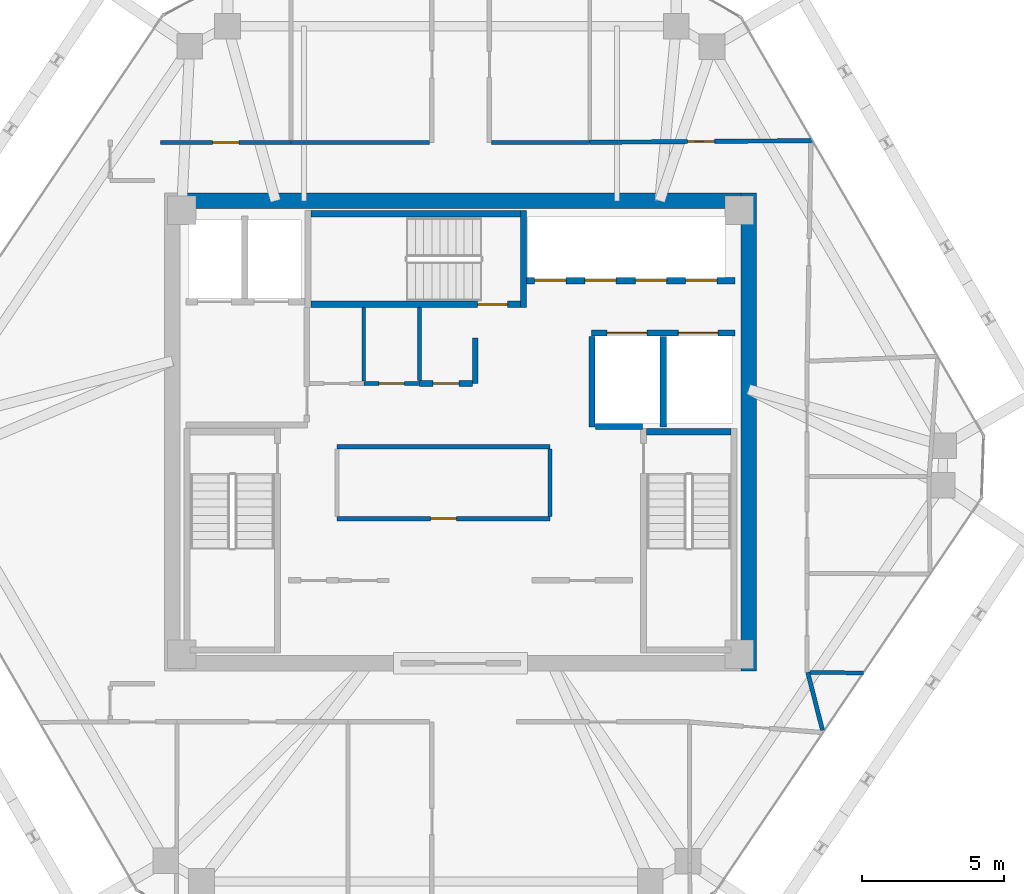
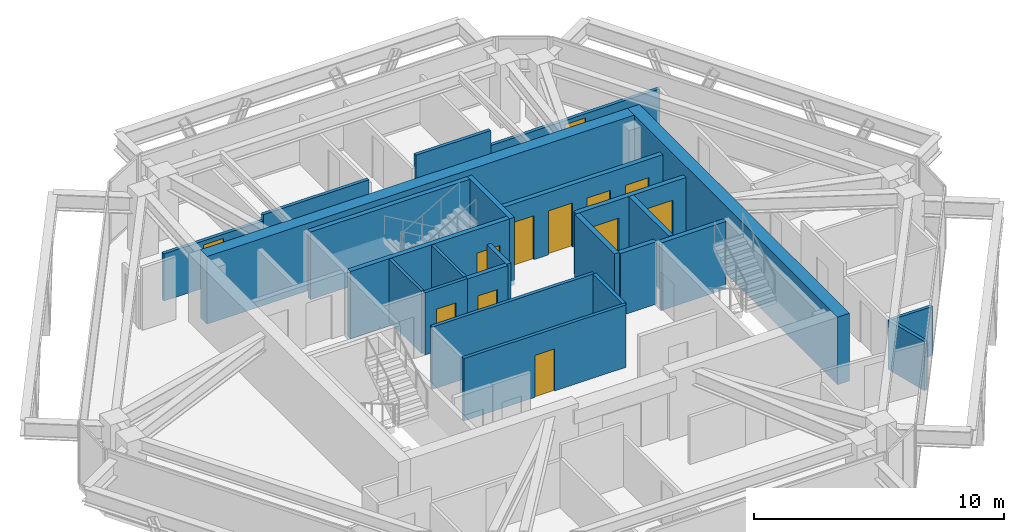
# One storey, part 9 of 11: 25 walls, 12 doors, 12 openings.
"""IFC4 building model written with IfcOpenShell, lengths in metres."""

from ifc_helpers import new_model, si_unit, direction, frame, frame_2d, origin, place, context, subcontext, project, spatial, rectangle, extrude, source, transform, mapped, material, layer, layer_set, type_object, type_shapes, element, fill, save


model = new_model("IFC4")

# Units and contexts
model_context = context("Model", 3, precision=1e-05, world=origin(), true_north=direction((0.0, 1.0)))
body_context = subcontext(model_context, "Body", "Model", "MODEL_VIEW")
ifc_project = project(units=[si_unit("LENGTHUNIT", "METRE"), si_unit("AREAUNIT", "SQUARE_METRE"), si_unit("VOLUMEUNIT", "CUBIC_METRE"), si_unit("PLANEANGLEUNIT", "RADIAN"), si_unit("MASSUNIT", "GRAM", prefix="KILO")], contexts=[model_context])

# Site, building, storey
site_placement = place(None, origin())
site = spatial("IfcSite", under=ifc_project, at=site_placement, CompositionType="ELEMENT")
building_placement = place(site_placement, origin())
building = spatial("IfcBuilding", under=site, at=building_placement, Name="Durnholm Broadcast Tower", CompositionType="ELEMENT")
storey_placement = place(building_placement, frame((0.0, 0.0, 231.5)))
storey = spatial("IfcBuildingStorey", under=building, at=storey_placement, Name="L64", CompositionType="ELEMENT", Elevation=231.5)

# Walls
ifc_material_1 = material(Name="Concrete C70/85", Category="concrete")
ifc_layer_1 = layer(ifc_material_1, 0.550048828125)
ifc_layer_set_1 = layer_set([ifc_layer_1], Name="Concrete C70/85")
wall_type_1 = type_object("IfcWallType", Name="WALL-CW-550", PredefinedType="SHEAR", material=ifc_layer_set_1)
wall_1_placement = place(storey_placement, frame((10.125, -8.39990234375, 0.0), z_axis=(0.0, 0.0, 1.0), x_axis=(0.0, 1.0, 0.0)))
element("IfcWall", 1, at=wall_1_placement, inside=storey, type_object=wall_type_1, Name="L64 central core shear wall CW-EAST", PredefinedType="SHEAR", context=body_context, shape_type="SweptSolid", body=[
    extrude(rectangle(XDim=16.7998046875, YDim=0.550048828125, at=frame_2d((8.39990234375, 0.0))), origin(), (0.0, 0.0, 1.0), 3.300048828125),
])
wall_2_placement = place(storey_placement, frame((-9.85009765625, 8.125, 0.0), z_axis=(0.0, 0.0, 1.0), x_axis=(1.0, 0.0, 0.0)))
element("IfcWall", 2, at=wall_2_placement, inside=storey, type_object=wall_type_1, Name="L64 central core shear wall CW-N", PredefinedType="SHEAR", context=body_context, shape_type="SweptSolid", body=[
    extrude(rectangle(XDim=19.7001953125, YDim=0.550048828125, at=frame_2d((9.85009765625, 0.0))), origin(), (0.0, 0.0, 1.0), 3.300048828125),
])
ifc_material_2 = material(Name="Fire-Rated Gypsum Shaftwall", Category="concrete")
ifc_layer_2 = layer(ifc_material_2, 0.199951171875)
ifc_layer_set_2 = layer_set([ifc_layer_2], Name="Fire-Rated Gypsum Shaftwall")
wall_type_2 = type_object("IfcWallType", Name="WALL-LOB-200", PredefinedType="SOLIDWALL", material=ifc_layer_set_2)
wall_3_placement = place(storey_placement, frame((0.52001953125, 3.300048828125, 0.0), z_axis=(0.0, 0.0, 1.0), x_axis=(0.0, -1.0, 0.0)))
element("IfcWall", 3, at=wall_3_placement, inside=storey, type_object=wall_type_2, Name="L64 Core Telecom Patch Room corridor partition", PredefinedType="SOLIDWALL", context=body_context, shape_type="SweptSolid", body=[
    extrude(rectangle(XDim=1.590087890625, YDim=0.199951171875, at=frame_2d((0.794921875, 0.0))), origin(), (0.0, 0.0, 1.0), 3.044921875),
])

# Wall, opening, door
wall_4_placement = place(storey_placement, frame((0.416015625, 1.7099609375, 0.0), z_axis=(0.0, 0.0, 1.0), x_axis=(-1.0, 0.0, 0.0)))
wall_4 = element("IfcWall", 4, at=wall_4_placement, inside=storey, type_object=wall_type_2, Name="L64 Core Telecom Patch Room corridor partition", PredefinedType="SOLIDWALL", context=body_context, shape_type="SweptSolid", body=[
    extrude(rectangle(XDim=1.85595703125, YDim=0.199951171875, at=frame_2d((0.927978515625, 0.0))), origin(), (0.0, 0.0, 1.0), 3.044921875),
])
opening_1_placement = place(wall_4_placement, frame((0.47802734375, 0.0, 0.0)))
opening_1 = element("IfcOpeningElement", 5, at=opening_1_placement, cuts=wall_4, Name="Opening DC-60R", PredefinedType="OPENING", context=body_context, shape_type="SweptSolid", body=[
    extrude(rectangle(XDim=0.89990234375, YDim=2.050048828125, at=frame_2d((0.449951171875, 1.02490234375))), frame((0.0, 0.10986328125, 0.0), z_axis=(0.0, -1.0, 0.0), x_axis=(1.0, 0.0, 0.0)), (0.0, 0.0, 1.0), 0.219970703125),
])
ifc_material_3 = material(Name="Fire-Rated Core Service Door", Category="steel")
ifc_layer_3 = layer(ifc_material_3, 0.050048828125)
ifc_layer_set_3 = layer_set([ifc_layer_3], Name="Fire-Rated Core Service Door")
door_type_1 = type_object("IfcDoorType", Name="DOOR-CORE-FD60-R", OperationType="NOTDEFINED", PredefinedType="DOOR", material=ifc_layer_set_3)
shared_shape_1 = source(origin(), body_context, "Body", "SweptSolid", [
    extrude(rectangle(XDim=0.89990234375, YDim=2.050048828125, at=frame_2d((0.449951171875, 1.02490234375))), frame((0.0, 0.02490234375, 0.0), z_axis=(0.0, -1.0, 0.0), x_axis=(1.0, 0.0, 0.0)), (0.0, 0.0, 1.0), 0.050048828125),
])
type_shapes(door_type_1, [shared_shape_1])
door_1_placement = place(opening_1_placement, origin())
door_1 = element("IfcDoor", 6, at=door_1_placement, inside=storey, type_object=door_type_1, Name="L64 Core Telecom Patch Room entrance door", OperationType="SINGLE_SWING_RIGHT", OverallHeight=2.050048828125, OverallWidth=0.89990234375, PredefinedType="DOOR", context=body_context, shape_type="MappedRepresentation", body=[
    mapped(shared_shape_1, transform((0.0, 0.0, 0.0), x_axis=(1.0, 0.0, 0.0), y_axis=(0.0, 1.0, 0.0), z_axis=(0.0, 0.0, 1.0), scale=1.0)),
])
fill(opening_1, door_1)

# Walls
ifc_material_4 = material(Name="Gypsum Metal Stud Partition", Category="concrete")
ifc_layer_4 = layer(ifc_material_4, 0.135009765625)
ifc_layer_set_4 = layer_set([ifc_layer_4], Name="Gypsum Metal Stud Partition")
wall_type_3 = type_object("IfcWallType", Name="WALL-PART-135", PredefinedType="PARTITIONING", material=ifc_layer_set_4)
wall_5_placement = place(storey_placement, frame((-3.39990234375, 4.375, 0.0), z_axis=(0.0, 0.0, 1.0), x_axis=(0.0, -1.0, 0.0)))
element("IfcWall", 7, at=wall_5_placement, inside=storey, type_object=wall_type_3, Name="L64 room dividing partition 5.6", PredefinedType="PARTITIONING", context=body_context, shape_type="SweptSolid", body=[
    extrude(rectangle(XDim=2.5859375, YDim=0.135009765625, at=frame_2d((1.29296875, 0.0))), origin(), (0.0, 0.0, 1.0), 3.044921875),
])
wall_6_placement = place(storey_placement, frame((-1.43994140625, 4.375, 0.0), z_axis=(0.0, 0.0, 1.0), x_axis=(0.0, -1.0, 0.0)))
element("IfcWall", 8, at=wall_6_placement, inside=storey, type_object=wall_type_3, Name="L64 room dividing partition 6.7", PredefinedType="PARTITIONING", context=body_context, shape_type="SweptSolid", body=[
    extrude(rectangle(XDim=2.56103515625, YDim=0.135009765625, at=frame_2d((1.280517578125, 0.0))), origin(), (0.0, 0.0, 1.0), 3.044921875),
])

# Wall, opening, door
ifc_material_5 = material(Name="Acoustic Gypsum Stud Partition", Category="concrete")
ifc_layer_5 = layer(ifc_material_5, 0.14990234375)
ifc_layer_set_5 = layer_set([ifc_layer_5], Name="Acoustic Gypsum Stud Partition")
wall_type_4 = type_object("IfcWallType", Name="WALL-PART-150", PredefinedType="PARTITIONING", material=ifc_layer_set_5)
wall_7_placement = place(storey_placement, frame((3.139892578125, -3.0400390625, 0.0), z_axis=(0.0, 0.0, 1.0), x_axis=(-1.0, 0.0, 0.0)))
wall_7 = element("IfcWall", 9, at=wall_7_placement, inside=storey, type_object=wall_type_4, Name="L64 Broadcast Equipment Pantry corridor partition", PredefinedType="PARTITIONING", context=body_context, shape_type="SweptSolid", body=[
    extrude(rectangle(XDim=7.47998046875, YDim=0.14990234375, at=frame_2d((3.739990234375, 0.0))), origin(), (0.0, 0.0, 1.0), 3.044921875),
])
opening_2_placement = place(wall_7_placement, frame((3.2900390625, 0.0, 0.0)))
opening_2 = element("IfcOpeningElement", 10, at=opening_2_placement, cuts=wall_7, Name="Opening DC-60L", PredefinedType="OPENING", context=body_context, shape_type="SweptSolid", body=[
    extrude(rectangle(XDim=0.89990234375, YDim=2.050048828125, at=frame_2d((0.449951171875, 1.02490234375))), frame((0.0, 0.0849609375, 0.0), z_axis=(0.0, -1.0, 0.0), x_axis=(1.0, 0.0, 0.0)), (0.0, 0.0, 1.0), 0.169921875),
])
ifc_layer_6 = layer(ifc_material_3, 0.050048828125)
ifc_layer_set_6 = layer_set([ifc_layer_6], Name="Fire-Rated Core Service Door")
door_type_2 = type_object("IfcDoorType", Name="DOOR-CORE-FD60-L", OperationType="NOTDEFINED", PredefinedType="DOOR", material=ifc_layer_set_6)
shared_shape_2 = source(origin(), body_context, "Body", "SweptSolid", [
    extrude(rectangle(XDim=0.89990234375, YDim=2.050048828125, at=frame_2d((0.449951171875, 1.02490234375))), frame((0.0, 0.02490234375, 0.0), z_axis=(0.0, -1.0, 0.0), x_axis=(1.0, 0.0, 0.0)), (0.0, 0.0, 1.0), 0.050048828125),
])
type_shapes(door_type_2, [shared_shape_2])
door_2_placement = place(opening_2_placement, origin())
door_2 = element("IfcDoor", 11, at=door_2_placement, inside=storey, type_object=door_type_2, Name="L64 Broadcast Equipment Pantry entrance door", OperationType="SINGLE_SWING_LEFT", OverallHeight=2.050048828125, OverallWidth=0.89990234375, PredefinedType="DOOR", context=body_context, shape_type="MappedRepresentation", body=[
    mapped(shared_shape_2, transform((0.0, 0.0, 0.0), x_axis=(1.0, 0.0, 0.0), y_axis=(0.0, 1.0, 0.0), z_axis=(0.0, 0.0, 1.0), scale=1.0)),
])
fill(opening_2, door_2)

# Walls
wall_8_placement = place(storey_placement, frame((-4.340087890625, -0.510009765625, 0.0), z_axis=(0.0, 0.0, 1.0), x_axis=(1.0, 0.0, 0.0)))
element("IfcWall", 12, at=wall_8_placement, inside=storey, type_object=wall_type_4, Name="L64 Broadcast Equipment Pantry corridor partition", PredefinedType="PARTITIONING", context=body_context, shape_type="SweptSolid", body=[
    extrude(rectangle(XDim=7.47998046875, YDim=0.14990234375, at=frame_2d((3.739990234375, 0.0))), origin(), (0.0, 0.0, 1.0), 3.044921875),
])
wall_9_placement = place(storey_placement, frame((3.139892578125, -0.589111328125, 0.0), z_axis=(0.0, 0.0, 1.0), x_axis=(0.0, -1.0, 0.0)))
element("IfcWall", 13, at=wall_9_placement, inside=storey, type_object=wall_type_4, Name="L64 Broadcast Equipment Pantry corridor partition", PredefinedType="PARTITIONING", context=body_context, shape_type="SweptSolid", body=[
    extrude(rectangle(XDim=2.371826171875, YDim=0.14990234375, at=frame_2d((1.18603515625, 0.0))), origin(), (0.0, 0.0, 1.0), 3.044921875),
])

# Wall, opening, door
wall_10_placement = place(storey_placement, frame((-1.43994140625, 1.7099609375, 0.0), z_axis=(0.0, 0.0, 1.0), x_axis=(-1.0, 0.0, 0.0)))
wall_10 = element("IfcWall", 14, at=wall_10_placement, inside=storey, type_object=wall_type_4, Name="L64 Core Janitor Supply Closet corridor partition", PredefinedType="PARTITIONING", context=body_context, shape_type="SweptSolid", body=[
    extrude(rectangle(XDim=1.9599609375, YDim=0.14990234375, at=frame_2d((0.97998046875, 0.0))), origin(), (0.0, 0.0, 1.0), 3.044921875),
])
opening_3_placement = place(wall_10_placement, frame((0.530029296875, 0.0, 0.0)))
opening_3 = element("IfcOpeningElement", 15, at=opening_3_placement, cuts=wall_10, Name="Opening DC-60L", PredefinedType="OPENING", context=body_context, shape_type="SweptSolid", body=[
    extrude(rectangle(XDim=0.89990234375, YDim=2.050048828125, at=frame_2d((0.449951171875, 1.02490234375))), frame((0.0, 0.0849609375, 0.0), z_axis=(0.0, -1.0, 0.0), x_axis=(1.0, 0.0, 0.0)), (0.0, 0.0, 1.0), 0.169921875),
])
door_3_placement = place(opening_3_placement, origin())
door_3 = element("IfcDoor", 16, at=door_3_placement, inside=storey, type_object=door_type_2, Name="L64 Core Janitor Supply Closet entrance door", OperationType="SINGLE_SWING_LEFT", OverallHeight=2.050048828125, OverallWidth=0.89990234375, PredefinedType="DOOR", context=body_context, shape_type="MappedRepresentation", body=[
    mapped(shared_shape_2, transform((0.0, 0.0, 0.0), x_axis=(1.0, 0.0, 0.0), y_axis=(0.0, 1.0, 0.0), z_axis=(0.0, 0.0, 1.0), scale=1.0)),
])
fill(opening_3, door_3)

wall_11_placement = place(storey_placement, frame((-5.9599609375, 10.179931640625, 0.0), z_axis=(0.0, 0.0, 1.0), x_axis=(-1.0, 0.0, 0.0)))
wall_11 = element("IfcWall", 17, at=wall_11_placement, inside=storey, type_object=wall_type_4, Name="L64 VP News Office corridor partition", PredefinedType="PARTITIONING", context=body_context, shape_type="SweptSolid", body=[
    extrude(rectangle(XDim=4.580078125, YDim=0.14990234375, at=frame_2d((2.2900390625, 0.0))), origin(), (0.0, 0.0, 1.0), 2.30126953125),
])
opening_4_placement = place(wall_11_placement, frame((1.830078125, 0.0, 0.0)))
opening_4 = element("IfcOpeningElement", 18, at=opening_4_placement, cuts=wall_11, Name="Opening DR-92R", PredefinedType="OPENING", context=body_context, shape_type="SweptSolid", body=[
    extrude(rectangle(XDim=0.919921875, YDim=2.10009765625, at=frame_2d((0.4599609375, 1.050048828125))), frame((0.0, 0.0849609375, 0.0), z_axis=(0.0, -1.0, 0.0), x_axis=(1.0, 0.0, 0.0)), (0.0, 0.0, 1.0), 0.169921875),
])
ifc_material_6 = material(Name="Oak Veneer Office Door", Category="wood")
ifc_layer_7 = layer(ifc_material_6, 0.050048828125)
ifc_layer_set_7 = layer_set([ifc_layer_7], Name="Oak Veneer Office Door")
door_type_3 = type_object("IfcDoorType", Name="DOOR-RM-920R", OperationType="NOTDEFINED", PredefinedType="DOOR", material=ifc_layer_set_7)
shared_shape_3 = source(origin(), body_context, "Body", "SweptSolid", [
    extrude(rectangle(XDim=0.919921875, YDim=2.10009765625, at=frame_2d((0.4599609375, 1.050048828125))), frame((0.0, 0.02490234375, 0.0), z_axis=(0.0, -1.0, 0.0), x_axis=(1.0, 0.0, 0.0)), (0.0, 0.0, 1.0), 0.050048828125),
])
type_shapes(door_type_3, [shared_shape_3])
door_4_placement = place(opening_4_placement, origin())
door_4 = element("IfcDoor", 19, at=door_4_placement, inside=storey, type_object=door_type_3, Name="L64 VP News Office entrance door", OperationType="SINGLE_SWING_RIGHT", OverallHeight=2.10009765625, OverallWidth=0.919921875, PredefinedType="DOOR", context=body_context, shape_type="MappedRepresentation", body=[
    mapped(shared_shape_3, transform((0.0, 0.0, 0.0), x_axis=(1.0, 0.0, 0.0), y_axis=(0.0, 1.0, 0.0), z_axis=(0.0, 0.0, 1.0), scale=1.0)),
])
fill(opening_4, door_4)

# Walls
wall_12_placement = place(storey_placement, frame((-1.089111328125, 10.179931640625, 0.0), z_axis=(0.0, 0.0, 1.0), x_axis=(-1.0, 0.0, 0.0)))
element("IfcWall", 20, at=wall_12_placement, inside=storey, type_object=wall_type_4, Name="L64 VP Sports Office corridor partition", PredefinedType="PARTITIONING", context=body_context, shape_type="SweptSolid", body=[
    extrude(rectangle(XDim=4.870849609375, YDim=0.14990234375, at=frame_2d((2.435546875, 0.0))), origin(), (0.0, 0.0, 1.0), 2.6083984375),
])
wall_13_placement = place(storey_placement, frame((4.5400390625, 10.179931640625, 0.0), z_axis=(0.0, 0.0, 1.0), x_axis=(-1.0, 0.0, 0.0)))
element("IfcWall", 21, at=wall_13_placement, inside=storey, type_object=wall_type_4, Name="L64 VP Entertainment Office corridor partition", PredefinedType="PARTITIONING", context=body_context, shape_type="SweptSolid", body=[
    extrude(rectangle(XDim=3.450927734375, YDim=0.14990234375, at=frame_2d((1.7255859375, 0.0))), origin(), (0.0, 0.0, 1.0), 3.044921875),
])

# Wall, opening, door
wall_14_placement = place(storey_placement, frame((12.368408203125, 10.242919921875, 0.0), z_axis=(0.0, 0.0, 1.0), x_axis=(-0.999968379606, -0.007952344825, 0.0)))
wall_14 = element("IfcWall", 22, at=wall_14_placement, inside=storey, type_object=wall_type_4, Name="L64 CTO Office corridor partition", PredefinedType="PARTITIONING", context=body_context, shape_type="SweptSolid", body=[
    extrude(rectangle(XDim=7.82861328125, YDim=0.14990234375, at=frame_2d((3.914306640625, 0.0))), origin(), (0.0, 0.0, 1.0), 2.30126953125),
])
opening_5_placement = place(wall_14_placement, frame((3.439208984375, 0.0, 0.0)))
opening_5 = element("IfcOpeningElement", 23, at=opening_5_placement, cuts=wall_14, Name="Opening DR-95L", PredefinedType="OPENING", context=body_context, shape_type="SweptSolid", body=[
    extrude(rectangle(XDim=0.949951171875, YDim=2.10009765625, at=frame_2d((0.47509765625, 1.050048828125))), frame((0.0, 0.0849609375, 0.0), z_axis=(0.0, -1.0, 0.0), x_axis=(1.0, 0.0, 0.0)), (0.0, 0.0, 1.0), 0.169921875),
])
ifc_material_7 = material(Name="Acoustic Oak Veneer Timber Door", Category="wood")
ifc_layer_8 = layer(ifc_material_7, 0.050048828125)
ifc_layer_set_8 = layer_set([ifc_layer_8], Name="Acoustic Oak Veneer Timber Door")
door_type_4 = type_object("IfcDoorType", Name="DOOR-RM-950L", OperationType="NOTDEFINED", PredefinedType="DOOR", material=ifc_layer_set_8)
shared_shape_4 = source(origin(), body_context, "Body", "SweptSolid", [
    extrude(rectangle(XDim=0.949951171875, YDim=2.10009765625, at=frame_2d((0.47509765625, 1.050048828125))), frame((0.0, 0.02490234375, 0.0), z_axis=(0.0, -1.0, 0.0), x_axis=(1.0, 0.0, 0.0)), (0.0, 0.0, 1.0), 0.050048828125),
])
type_shapes(door_type_4, [shared_shape_4])
door_5_placement = place(opening_5_placement, origin())
door_5 = element("IfcDoor", 24, at=door_5_placement, inside=storey, type_object=door_type_4, Name="L64 CTO Office entrance door", OperationType="SINGLE_SWING_LEFT", OverallHeight=2.10009765625, OverallWidth=0.949951171875, PredefinedType="DOOR", context=body_context, shape_type="MappedRepresentation", body=[
    mapped(shared_shape_4, transform((0.0, 0.0, 0.0), x_axis=(1.0, 0.0, 0.0), y_axis=(0.0, 1.0, 0.0), z_axis=(0.0, 0.0, 1.0), scale=1.0)),
])
fill(opening_5, door_5)

# Wall
wall_15_placement = place(storey_placement, frame((12.71826171875, -10.476806640625, 0.0), z_axis=(0.0, 0.0, 1.0), x_axis=(-0.246496791887, 0.96914360731, 0.0)))
element("IfcWall", 25, at=wall_15_placement, inside=storey, type_object=wall_type_4, Name="L64 Broadcast Library Lounge corridor partition", PredefinedType="PARTITIONING", context=body_context, shape_type="SweptSolid", body=[
    extrude(rectangle(XDim=2.101806640625, YDim=0.14990234375, at=frame_2d((1.05078125, 0.0))), origin(), (0.0, 0.0, 1.0), 2.398681640625),
])

# Wall, openings, doors
ifc_material_8 = material(Name="Concrete Blockwork C30/37", Category="masonry")
ifc_layer_9 = layer(ifc_material_8, 0.219970703125)
ifc_layer_set_9 = layer_set([ifc_layer_9], Name="Concrete Blockwork C30/37")
wall_type_5 = type_object("IfcWallType", Name="WALL-SHAFT-220", PredefinedType="SOLIDWALL", material=ifc_layer_set_9)
wall_16_placement = place(storey_placement, frame((4.60009765625, 3.47998046875, 0.0), z_axis=(0.0, 0.0, 1.0), x_axis=(1.0, 0.0, 0.0)))
wall_16 = element("IfcWall", 26, at=wall_16_placement, inside=storey, type_object=wall_type_5, Name="L64 freight service lifts north front wall", PredefinedType="SOLIDWALL", context=body_context, shape_type="SweptSolid", body=[
    extrude(rectangle(XDim=5.0498046875, YDim=0.219970703125, at=frame_2d((2.52490234375, 0.0))), origin(), (0.0, 0.0, 1.0), 3.044921875),
])
opening_6_placement = place(wall_16_placement, frame((0.550048828125, 0.0, 0.0)))
opening_6 = element("IfcOpeningElement", 27, at=opening_6_placement, cuts=wall_16, Name="Opening LD-SVL-2", PredefinedType="OPENING", context=body_context, shape_type="SweptSolid", body=[
    extrude(rectangle(XDim=1.39990234375, YDim=2.14990234375, at=frame_2d((0.699951171875, 1.074951171875))), frame((0.0, 0.1201171875, 0.0), z_axis=(0.0, -1.0, 0.0), x_axis=(1.0, 0.0, 0.0)), (0.0, 0.0, 1.0), 0.239990234375),
])
opening_7_placement = place(wall_16_placement, frame((3.050048828125, 0.0, 0.0)))
opening_7 = element("IfcOpeningElement", 28, at=opening_7_placement, cuts=wall_16, Name="Opening LD-SVL-1", PredefinedType="OPENING", context=body_context, shape_type="SweptSolid", body=[
    extrude(rectangle(XDim=1.39990234375, YDim=2.14990234375, at=frame_2d((0.699951171875, 1.074951171875))), frame((0.0, 0.1201171875, 0.0), z_axis=(0.0, -1.0, 0.0), x_axis=(1.0, 0.0, 0.0)), (0.0, 0.0, 1.0), 0.239990234375),
])
ifc_material_9 = material(Name="Freight Elevator Bi-Parting Sliding Landing Door", Category="steel")
ifc_layer_10 = layer(ifc_material_9, 0.050048828125)
ifc_layer_set_10 = layer_set([ifc_layer_10], Name="Freight Elevator Bi-Parting Sliding Landing Door")
door_type_5 = type_object("IfcDoorType", Name="DOOR-LIFT-SVL", OperationType="DOUBLE_DOOR_SLIDING", PredefinedType="DOOR", material=ifc_layer_set_10)
shared_shape_5 = source(origin(), body_context, "Body", "SweptSolid", [
    extrude(rectangle(XDim=1.39990234375, YDim=2.14990234375, at=frame_2d((0.699951171875, 1.074951171875))), frame((0.0, 0.02490234375, 0.0), z_axis=(0.0, -1.0, 0.0), x_axis=(1.0, 0.0, 0.0)), (0.0, 0.0, 1.0), 0.050048828125),
])
type_shapes(door_type_5, [shared_shape_5])
door_6_placement = place(opening_6_placement, origin())
door_6 = element("IfcDoor", 29, at=door_6_placement, inside=storey, type_object=door_type_5, Name="L64 freight service elevator SVL-2 sliding landing door", OperationType="DOUBLE_DOOR_SLIDING", OverallHeight=2.14990234375, OverallWidth=1.39990234375, PredefinedType="DOOR", context=body_context, shape_type="MappedRepresentation", body=[
    mapped(shared_shape_5, transform((0.0, 0.0, 0.0), x_axis=(1.0, 0.0, 0.0), y_axis=(0.0, 1.0, 0.0), z_axis=(0.0, 0.0, 1.0), scale=1.0)),
])
fill(opening_6, door_6)
door_7_placement = place(opening_7_placement, origin())
door_7 = element("IfcDoor", 30, at=door_7_placement, inside=storey, type_object=door_type_5, Name="L64 freight service elevator SVL-1 sliding landing door", OperationType="DOUBLE_DOOR_SLIDING", OverallHeight=2.14990234375, OverallWidth=1.39990234375, PredefinedType="DOOR", context=body_context, shape_type="MappedRepresentation", body=[
    mapped(shared_shape_5, transform((0.0, 0.0, 0.0), x_axis=(1.0, 0.0, 0.0), y_axis=(0.0, 1.0, 0.0), z_axis=(0.0, 0.0, 1.0), scale=1.0)),
])
fill(opening_7, door_7)

# Walls
for number, where, z_axis, x_axis, name in (
    (31, (4.6201171875, 0.179931640625, 0.0), (0.0, 0.0, 1.0), (0.0, 1.0, 0.0), "L64 freight service lift SVL-2 west wall"),
    (32, (7.1201171875, 0.179931640625, 0.0), (0.0, 0.0, 1.0), (0.0, 1.0, 0.0), "L64 freight service lifts divider wall"),
):
    element("IfcWall", number, at=place(storey_placement, frame(where, z_axis=z_axis, x_axis=x_axis)), inside=storey, type_object=wall_type_5, Name=name, PredefinedType="SOLIDWALL", context=body_context, shape_type="SweptSolid", body=[
        extrude(rectangle(XDim=3.18603515625, YDim=0.219970703125, at=frame_2d((1.593017578125, 0.0))), origin(), (0.0, 0.0, 1.0), 3.044921875),
    ])
wall_17_placement = place(storey_placement, frame((4.73388671875, 0.199951171875, 0.0), z_axis=(0.0, 0.0, 1.0), x_axis=(1.0, 0.0, 0.0)))
element("IfcWall", 33, at=wall_17_placement, inside=storey, type_object=wall_type_5, Name="L64 freight service lift SVL-2 south wall", PredefinedType="SOLIDWALL", context=body_context, shape_type="SweptSolid", body=[
    extrude(rectangle(XDim=1.666015625, YDim=0.219970703125, at=frame_2d((0.8330078125, 0.0))), origin(), (0.0, 0.0, 1.0), 3.044921875),
])

# Wall, openings, doors
wall_18_placement = place(storey_placement, frame((2.324951171875, 5.320068359375, 0.0), z_axis=(0.0, 0.0, 1.0), x_axis=(1.0, 0.0, 0.0)))
wall_18 = element("IfcWall", 34, at=wall_18_placement, inside=storey, type_object=wall_type_5, Name="L64 high-rise bank P3 south front wall", PredefinedType="SOLIDWALL", context=body_context, shape_type="SweptSolid", body=[
    extrude(rectangle(XDim=7.324951171875, YDim=0.219970703125, at=frame_2d((3.66259765625, 0.0))), origin(), (0.0, 0.0, 1.0), 3.044921875),
])
opening_8_placement = place(wall_18_placement, frame((0.27490234375, 0.0, 0.0)))
opening_8 = element("IfcOpeningElement", 35, at=opening_8_placement, cuts=wall_18, Name="Opening LD-LP3-1", PredefinedType="OPENING", context=body_context, shape_type="SweptSolid", body=[
    extrude(rectangle(XDim=1.10009765625, YDim=2.14990234375, at=frame_2d((0.550048828125, 1.074951171875))), frame((0.0, 0.1201171875, 0.0), z_axis=(0.0, -1.0, 0.0), x_axis=(1.0, 0.0, 0.0)), (0.0, 0.0, 1.0), 0.239990234375),
])
opening_9_placement = place(wall_18_placement, frame((2.044921875, 0.0, 0.0)))
opening_9 = element("IfcOpeningElement", 36, at=opening_9_placement, cuts=wall_18, Name="Opening LD-LP3-2", PredefinedType="OPENING", context=body_context, shape_type="SweptSolid", body=[
    extrude(rectangle(XDim=1.10009765625, YDim=2.14990234375, at=frame_2d((0.550048828125, 1.074951171875))), frame((0.0, 0.1201171875, 0.0), z_axis=(0.0, -1.0, 0.0), x_axis=(1.0, 0.0, 0.0)), (0.0, 0.0, 1.0), 0.239990234375),
])
opening_10_placement = place(wall_18_placement, frame((3.81494140625, 0.0, 0.0)))
opening_10 = element("IfcOpeningElement", 37, at=opening_10_placement, cuts=wall_18, Name="Opening LD-LP3-3", PredefinedType="OPENING", context=body_context, shape_type="SweptSolid", body=[
    extrude(rectangle(XDim=1.10009765625, YDim=2.14990234375, at=frame_2d((0.550048828125, 1.074951171875))), frame((0.0, 0.1201171875, 0.0), z_axis=(0.0, -1.0, 0.0), x_axis=(1.0, 0.0, 0.0)), (0.0, 0.0, 1.0), 0.239990234375),
])
opening_11_placement = place(wall_18_placement, frame((5.5849609375, 0.0, 0.0)))
opening_11 = element("IfcOpeningElement", 38, at=opening_11_placement, cuts=wall_18, Name="Opening LD-LP3-4", PredefinedType="OPENING", context=body_context, shape_type="SweptSolid", body=[
    extrude(rectangle(XDim=1.10009765625, YDim=2.14990234375, at=frame_2d((0.550048828125, 1.074951171875))), frame((0.0, 0.1201171875, 0.0), z_axis=(0.0, -1.0, 0.0), x_axis=(1.0, 0.0, 0.0)), (0.0, 0.0, 1.0), 0.239990234375),
])
ifc_material_10 = material(Name="Stainless Steel Sliding Elevator Landing Door", Category="steel")
ifc_layer_11 = layer(ifc_material_10, 0.050048828125)
ifc_layer_set_11 = layer_set([ifc_layer_11], Name="Stainless Steel Sliding Elevator Landing Door")
door_type_6 = type_object("IfcDoorType", Name="DOOR-LIFT-PAX", OperationType="DOUBLE_DOOR_SLIDING", PredefinedType="DOOR", material=ifc_layer_set_11)
shared_shape_6 = source(origin(), body_context, "Body", "SweptSolid", [
    extrude(rectangle(XDim=1.10009765625, YDim=2.14990234375, at=frame_2d((0.550048828125, 1.074951171875))), frame((0.0, 0.02490234375, 0.0), z_axis=(0.0, -1.0, 0.0), x_axis=(1.0, 0.0, 0.0)), (0.0, 0.0, 1.0), 0.050048828125),
])
type_shapes(door_type_6, [shared_shape_6])
door_8_placement = place(opening_8_placement, origin())
door_8 = element("IfcDoor", 39, at=door_8_placement, inside=storey, type_object=door_type_6, Name="L64 high-rise elevator LP3-1 sliding landing door", OperationType="DOUBLE_DOOR_SLIDING", OverallHeight=2.14990234375, OverallWidth=1.10009765625, PredefinedType="DOOR", context=body_context, shape_type="MappedRepresentation", body=[
    mapped(shared_shape_6, transform((0.0, 0.0, 0.0), x_axis=(1.0, 0.0, 0.0), y_axis=(0.0, 1.0, 0.0), z_axis=(0.0, 0.0, 1.0), scale=1.0)),
])
fill(opening_8, door_8)
door_9_placement = place(opening_9_placement, origin())
door_9 = element("IfcDoor", 40, at=door_9_placement, inside=storey, type_object=door_type_6, Name="L64 high-rise elevator LP3-2 sliding landing door", OperationType="DOUBLE_DOOR_SLIDING", OverallHeight=2.14990234375, OverallWidth=1.10009765625, PredefinedType="DOOR", context=body_context, shape_type="MappedRepresentation", body=[
    mapped(shared_shape_6, transform((0.0, 0.0, 0.0), x_axis=(1.0, 0.0, 0.0), y_axis=(0.0, 1.0, 0.0), z_axis=(0.0, 0.0, 1.0), scale=1.0)),
])
fill(opening_9, door_9)
door_10_placement = place(opening_10_placement, origin())
door_10 = element("IfcDoor", 41, at=door_10_placement, inside=storey, type_object=door_type_6, Name="L64 high-rise elevator LP3-3 sliding landing door", OperationType="DOUBLE_DOOR_SLIDING", OverallHeight=2.14990234375, OverallWidth=1.10009765625, PredefinedType="DOOR", context=body_context, shape_type="MappedRepresentation", body=[
    mapped(shared_shape_6, transform((0.0, 0.0, 0.0), x_axis=(1.0, 0.0, 0.0), y_axis=(0.0, 1.0, 0.0), z_axis=(0.0, 0.0, 1.0), scale=1.0)),
])
fill(opening_10, door_10)
door_11_placement = place(opening_11_placement, origin())
door_11 = element("IfcDoor", 42, at=door_11_placement, inside=storey, type_object=door_type_6, Name="L64 high-rise elevator LP3-4 sliding landing door", OperationType="DOUBLE_DOOR_SLIDING", OverallHeight=2.14990234375, OverallWidth=1.10009765625, PredefinedType="DOOR", context=body_context, shape_type="MappedRepresentation", body=[
    mapped(shared_shape_6, transform((0.0, 0.0, 0.0), x_axis=(1.0, 0.0, 0.0), y_axis=(0.0, 1.0, 0.0), z_axis=(0.0, 0.0, 1.0), scale=1.0)),
])
fill(opening_11, door_11)

# Walls
ifc_material_11 = material(Name="Concrete C50/60", Category="concrete")
ifc_layer_12 = layer(ifc_material_11, 0.219970703125)
ifc_layer_set_12 = layer_set([ifc_layer_12], Name="Concrete C50/60")
wall_type_6 = type_object("IfcWallType", Name="WALL-SW-220", PredefinedType="SHEAR", material=ifc_layer_set_12)
wall_19_placement = place(storey_placement, frame((9.5, 0.010009765625, -0.239990234375), z_axis=(0.0, 0.0, 1.0), x_axis=(-1.0, 0.0, 0.0)))
element("IfcWall", 43, at=wall_19_placement, inside=storey, type_object=wall_type_6, Name="L64 stair ST-2 structural shaft wall N", PredefinedType="SHEAR", context=body_context, shape_type="SweptSolid", body=[
    extrude(rectangle(XDim=2.9599609375, YDim=0.219970703125, at=frame_2d((1.47998046875, 0.0))), origin(), (0.0, 0.0, 1.0), 3.300048828125),
])
wall_20_placement = place(storey_placement, frame((2.2099609375, 4.3798828125, -0.239990234375), z_axis=(0.0, 0.0, 1.0), x_axis=(0.0, 1.0, 0.0)))
element("IfcWall", 44, at=wall_20_placement, inside=storey, type_object=wall_type_6, Name="L64 stair ST-3 structural shaft wall E", PredefinedType="SHEAR", context=body_context, shape_type="SweptSolid", body=[
    extrude(rectangle(XDim=3.400146484375, YDim=0.219970703125, at=frame_2d((1.7001953125, 0.0))), origin(), (0.0, 0.0, 1.0), 3.300048828125),
])

# Wall, opening, door
wall_21_placement = place(storey_placement, frame((-5.25, 4.489990234375, -0.239990234375), z_axis=(0.0, 0.0, 1.0), x_axis=(1.0, 0.0, 0.0)))
wall_21 = element("IfcWall", 45, at=wall_21_placement, inside=storey, type_object=wall_type_6, Name="L64 stair ST-3 structural shaft wall S", PredefinedType="SHEAR", context=body_context, shape_type="SweptSolid", body=[
    extrude(rectangle(XDim=7.35009765625, YDim=0.219970703125, at=frame_2d((3.675048828125, 0.0))), origin(), (0.0, 0.0, 1.0), 3.300048828125),
])
opening_12_placement = place(wall_21_placement, frame((5.85009765625, 0.0, 0.0)))
opening_12 = element("IfcOpeningElement", 46, at=opening_12_placement, cuts=wall_21, Name="Opening DS-90L", PredefinedType="OPENING", context=body_context, shape_type="SweptSolid", body=[
    extrude(rectangle(XDim=1.050048828125, YDim=2.14990234375, at=frame_2d((0.52490234375, 1.074951171875))), frame((0.0, 0.1201171875, 0.0), z_axis=(0.0, -1.0, 0.0), x_axis=(1.0, 0.0, 0.0)), (0.0, 0.0, 1.0), 0.239990234375),
])
ifc_material_12 = material(Name="Fire-Rated Steel Door", Category="steel")
ifc_layer_13 = layer(ifc_material_12, 0.050048828125)
ifc_layer_set_13 = layer_set([ifc_layer_13], Name="Fire-Rated Steel Door")
door_type_7 = type_object("IfcDoorType", Name="DOOR-ST-FD90-L", OperationType="NOTDEFINED", PredefinedType="DOOR", material=ifc_layer_set_13)
shared_shape_7 = source(origin(), body_context, "Body", "SweptSolid", [
    extrude(rectangle(XDim=1.050048828125, YDim=2.14990234375, at=frame_2d((0.52490234375, 1.074951171875))), frame((0.0, 0.02490234375, 0.0), z_axis=(0.0, -1.0, 0.0), x_axis=(1.0, 0.0, 0.0)), (0.0, 0.0, 1.0), 0.050048828125),
])
type_shapes(door_type_7, [shared_shape_7])
door_12_placement = place(opening_12_placement, origin())
door_12 = element("IfcDoor", 47, at=door_12_placement, inside=storey, type_object=door_type_7, Name="L64 exit stair ST-3 fire door", OperationType="SINGLE_SWING_LEFT", OverallHeight=2.14990234375, OverallWidth=1.050048828125, PredefinedType="DOOR", context=body_context, shape_type="MappedRepresentation", body=[
    mapped(shared_shape_7, transform((0.0, 0.0, 0.0), x_axis=(1.0, 0.0, 0.0), y_axis=(0.0, 1.0, 0.0), z_axis=(0.0, 0.0, 1.0), scale=1.0)),
])
fill(opening_12, door_12)

# Walls
wall_22_placement = place(storey_placement, frame((2.10009765625, 7.669921875, -0.239990234375), z_axis=(0.0, 0.0, 1.0), x_axis=(-1.0, 0.0, 0.0)))
element("IfcWall", 48, at=wall_22_placement, inside=storey, type_object=wall_type_6, Name="L64 stair ST-3 structural shaft wall N", PredefinedType="SHEAR", context=body_context, shape_type="SweptSolid", body=[
    extrude(rectangle(XDim=7.35009765625, YDim=0.219970703125, at=frame_2d((3.675048828125, 0.0))), origin(), (0.0, 0.0, 1.0), 3.300048828125),
])
ifc_material_13 = material(Name="Moisture-Resistant Tile Partition", Category="concrete")
ifc_layer_14 = layer(ifc_material_13, 0.139892578125)
ifc_layer_set_14 = layer_set([ifc_layer_14], Name="Moisture-Resistant Tile Partition")
wall_type_7 = type_object("IfcWallType", Name="WALL-WC-140", PredefinedType="PARTITIONING", material=ifc_layer_set_14)
wall_23_placement = place(storey_placement, frame((14.155517578125, -8.46240234375, 0.0), z_axis=(0.0, 0.0, 1.0), x_axis=(-0.999935742613, 0.011336253532, 0.0)))
element("IfcWall", 49, at=wall_23_placement, inside=storey, type_object=wall_type_7, Name="L64 room dividing partition 8.19", PredefinedType="PARTITIONING", context=body_context, shape_type="SweptSolid", body=[
    extrude(rectangle(XDim=1.87353515625, YDim=0.139892578125, at=frame_2d((0.936767578125, 0.0))), origin(), (0.0, 0.0, 1.0), 2.398681640625),
])

save(model, "model.ifc")
